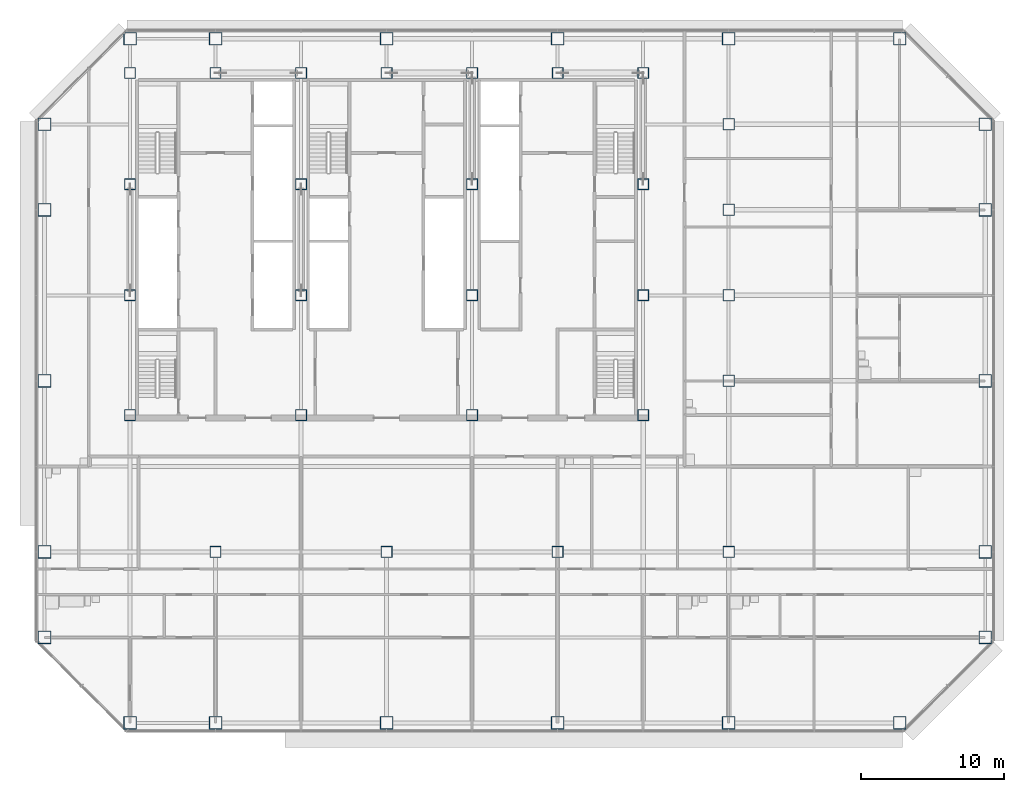
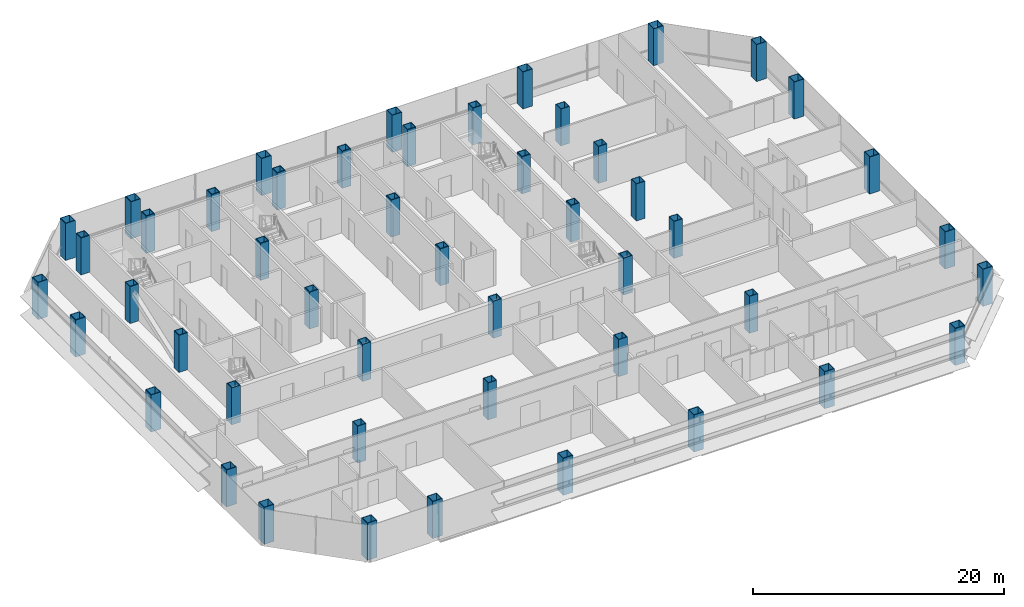
# One storey, part 1 of 27: 49 columns.
"""IFC4 building model written with IfcOpenShell, lengths in metres."""

from ifc_helpers import new_model, si_unit, direction, frame, origin, origin_2d, place, context, subcontext, project, spatial, hollow_rectangle, extrude, material, material_profile, profile_set, type_object, element, save


model = new_model("IFC4")

# Units and contexts
model_context = context("Model", 3, precision=1e-05, world=origin(), true_north=direction((0.0, 1.0)))
body_context = subcontext(model_context, "Body", "Model", "MODEL_VIEW")
ifc_project = project(units=[si_unit("LENGTHUNIT", "METRE"), si_unit("AREAUNIT", "SQUARE_METRE"), si_unit("VOLUMEUNIT", "CUBIC_METRE"), si_unit("PLANEANGLEUNIT", "RADIAN"), si_unit("MASSUNIT", "GRAM", prefix="KILO")], contexts=[model_context])

# Site, building, storey
site_placement = place(None, origin())
site = spatial("IfcSite", under=ifc_project, at=site_placement, CompositionType="ELEMENT")
building_placement = place(site_placement, origin())
building = spatial("IfcBuilding", under=site, at=building_placement, Name="Sorahane Residences", CompositionType="ELEMENT")
storey_placement = place(building_placement, frame((0.0, 0.0, 57.0)))
storey = spatial("IfcBuildingStorey", under=building, at=storey_placement, Name="L10", CompositionType="ELEMENT", Elevation=57.0)

# Columns
ifc_material_1 = material(Name="Steel Q355B", Category="steel")
ifc_material_profile_1 = material_profile(ifc_material_1, hollow_rectangle(XDim=0.800048828125, YDim=0.800048828125, WallThickness=0.0400390625, at=origin_2d()), Name="BOX 800x800x40")
ifc_profile_set_1 = profile_set([ifc_material_profile_1], Name="Steel Q355B")
column_type_1 = type_object("IfcColumnType", Name="Steel box column BOX 800x800x40 Q355B", PredefinedType="COLUMN", material=ifc_profile_set_1)
for number, where, z_axis, x_axis, name in (
    (1, (12.0, 12.0, 0.0), (0.0, 0.0, 1.0), (1.0, 0.0, 0.0), "Column L10 12/12"),
    (2, (24.0, 12.0, 0.0), (0.0, 0.0, 1.0), (1.0, 0.0, 0.0), "Column L10 24/12"),
    (3, (36.0, 12.0, 0.0), (0.0, 0.0, 1.0), (1.0, 0.0, 0.0), "Column L10 36/12"),
    (4, (48.0, 12.0, 0.0), (0.0, 0.0, 1.0), (1.0, 0.0, 0.0), "Column L10 48/12"),
    (5, (48.0, 24.0, 0.0), (0.0, 0.0, 1.0), (1.0, 0.0, 0.0), "Column L10 48/24"),
    (6, (48.0, 30.0, 0.0), (0.0, 0.0, 1.0), (1.0, 0.0, 0.0), "Column L10 48/30"),
    (7, (48.0, 36.0, 0.0), (0.0, 0.0, 1.0), (1.0, 0.0, 0.0), "Column L10 48/36"),
    (8, (48.0, 42.0, 0.0), (0.0, 0.0, 1.0), (1.0, 0.0, 0.0), "Column L10 48/42"),
):
    element("IfcColumn", number, at=place(storey_placement, frame(where, z_axis=z_axis, x_axis=x_axis)), inside=storey, type_object=column_type_1, Name=name, PredefinedType="COLUMN", context=body_context, shape_type="SweptSolid", body=[
        extrude(hollow_rectangle(XDim=0.800048828125, YDim=0.800048828125, WallThickness=0.0400390625, at=origin_2d()), origin(), (0.0, 0.0, 1.0), 3.60009765625),
    ])
ifc_material_2 = material(Name="Steel Q420GJ", Category="steel")
ifc_material_profile_2 = material_profile(ifc_material_2, hollow_rectangle(XDim=0.800048828125, YDim=0.800048828125, WallThickness=0.06005859375, at=origin_2d()), Name="BOX 800x800x60")
ifc_profile_set_2 = profile_set([ifc_material_profile_2], Name="Steel Q420GJ")
column_type_2 = type_object("IfcColumnType", Name="Steel box column BOX 800x800x60 Q420GJ", PredefinedType="COLUMN", material=ifc_profile_set_2)
for number, where, z_axis, x_axis, name in (
    (9, (6.0, 21.60009765625, 0.0), (0.0, 0.0, 1.0), (1.0, 0.0, 0.0), "Column L10 6/21.6"),
    (10, (6.0, 30.0, 0.0), (0.0, 0.0, 1.0), (1.0, 0.0, 0.0), "Column L10 6/30"),
    (11, (6.0, 37.800048828125, 0.0), (0.0, 0.0, 1.0), (1.0, 0.0, 0.0), "Column L10 6/37.8"),
    (12, (6.0, 45.60009765625, 0.0), (0.0, 0.0, 1.0), (1.0, 0.0, 0.0), "Column L10 6/45.6"),
    (13, (12.0, 45.60009765625, 0.0), (0.0, 0.0, 1.0), (1.0, 0.0, 0.0), "Column L10 12/45.6"),
    (14, (18.0, 21.60009765625, 0.0), (0.0, 0.0, 1.0), (1.0, 0.0, 0.0), "Column L10 18/21.6"),
    (15, (18.0, 30.0, 0.0), (0.0, 0.0, 1.0), (1.0, 0.0, 0.0), "Column L10 18/30"),
    (16, (18.0, 37.800048828125, 0.0), (0.0, 0.0, 1.0), (1.0, 0.0, 0.0), "Column L10 18/37.8"),
    (17, (18.0, 45.60009765625, 0.0), (0.0, 0.0, 1.0), (1.0, 0.0, 0.0), "Column L10 18/45.6"),
    (18, (24.0, 45.60009765625, 0.0), (0.0, 0.0, 1.0), (1.0, 0.0, 0.0), "Column L10 24/45.6"),
    (19, (30.0, 21.60009765625, 0.0), (0.0, 0.0, 1.0), (1.0, 0.0, 0.0), "Column L10 30/21.6"),
    (20, (30.0, 30.0, 0.0), (0.0, 0.0, 1.0), (1.0, 0.0, 0.0), "Column L10 30/30"),
    (21, (30.0, 37.800048828125, 0.0), (0.0, 0.0, 1.0), (1.0, 0.0, 0.0), "Column L10 30/37.8"),
    (22, (30.0, 45.60009765625, 0.0), (0.0, 0.0, 1.0), (1.0, 0.0, 0.0), "Column L10 30/45.6"),
    (23, (36.0, 45.60009765625, 0.0), (0.0, 0.0, 1.0), (1.0, 0.0, 0.0), "Column L10 36/45.6"),
    (24, (42.0, 21.60009765625, 0.0), (0.0, 0.0, 1.0), (1.0, 0.0, 0.0), "Column L10 42/21.6"),
    (25, (42.0, 30.0, 0.0), (0.0, 0.0, 1.0), (1.0, 0.0, 0.0), "Column L10 42/30"),
    (26, (42.0, 37.800048828125, 0.0), (0.0, 0.0, 1.0), (1.0, 0.0, 0.0), "Column L10 42/37.8"),
    (27, (42.0, 45.60009765625, 0.0), (0.0, 0.0, 1.0), (1.0, 0.0, 0.0), "Column L10 42/45.6"),
):
    element("IfcColumn", number, at=place(storey_placement, frame(where, z_axis=z_axis, x_axis=x_axis)), inside=storey, type_object=column_type_2, Name=name, PredefinedType="COLUMN", context=body_context, shape_type="SweptSolid", body=[
        extrude(hollow_rectangle(XDim=0.800048828125, YDim=0.800048828125, WallThickness=0.06005859375, at=origin_2d()), origin(), (0.0, 0.0, 1.0), 3.60009765625),
    ])
ifc_material_3 = material(Name="Steel Q420GJ", Category="steel")
ifc_material_profile_3 = material_profile(ifc_material_3, hollow_rectangle(XDim=0.89990234375, YDim=0.89990234375, WallThickness=0.044921875, at=origin_2d()), Name="BOX 900x900x45")
ifc_profile_set_3 = profile_set([ifc_material_profile_3], Name="Steel Q420GJ")
column_type_3 = type_object("IfcColumnType", Name="Steel box column BOX 900x900x45 Q420GJ", PredefinedType="COLUMN", material=ifc_profile_set_3)
for number, where, z_axis, x_axis, name in (
    (28, (0.0, 6.0, 0.0), (0.0, 0.0, 1.0), (1.0, 0.0, 0.0), "Column L10 m0/6"),
    (29, (0.0, 12.0, 0.0), (0.0, 0.0, 1.0), (1.0, 0.0, 0.0), "Column L10 m0/12"),
    (30, (0.0, 24.0, 0.0), (0.0, 0.0, 1.0), (1.0, 0.0, 0.0), "Column L10 m0/24"),
    (31, (0.0, 36.0, 0.0), (0.0, 0.0, 1.0), (1.0, 0.0, 0.0), "Column L10 m0/36"),
    (32, (0.0, 42.0, 0.0), (0.0, 0.0, 1.0), (1.0, 0.0, 0.0), "Column L10 m0/42"),
    (33, (6.0, 0.0, 0.0), (0.0, 0.0, 1.0), (1.0, 0.0, 0.0), "Column L10 6/0"),
    (34, (6.0, 48.0, 0.0), (0.0, 0.0, 1.0), (1.0, 0.0, 0.0), "Column L10 6/48"),
    (35, (12.0, 0.0, 0.0), (0.0, 0.0, 1.0), (1.0, 0.0, 0.0), "Column L10 12/0"),
    (36, (12.0, 48.0, 0.0), (0.0, 0.0, 1.0), (1.0, 0.0, 0.0), "Column L10 12/48"),
    (37, (24.0, 0.0, 0.0), (0.0, 0.0, 1.0), (1.0, 0.0, 0.0), "Column L10 24/0"),
    (38, (24.0, 48.0, 0.0), (0.0, 0.0, 1.0), (1.0, 0.0, 0.0), "Column L10 24/48"),
    (39, (36.0, 0.0, 0.0), (0.0, 0.0, 1.0), (1.0, 0.0, 0.0), "Column L10 36/0"),
    (40, (36.0, 48.0, 0.0), (0.0, 0.0, 1.0), (1.0, 0.0, 0.0), "Column L10 36/48"),
    (41, (48.0, 0.0, 0.0), (0.0, 0.0, 1.0), (1.0, 0.0, 0.0), "Column L10 48/0"),
    (42, (48.0, 48.0, 0.0), (0.0, 0.0, 1.0), (1.0, 0.0, 0.0), "Column L10 48/48"),
    (43, (60.0, 0.0, 0.0), (0.0, 0.0, 1.0), (1.0, 0.0, 0.0), "Column L10 60/0"),
    (44, (60.0, 48.0, 0.0), (0.0, 0.0, 1.0), (1.0, 0.0, 0.0), "Column L10 60/48"),
    (45, (66.0, 6.0, 0.0), (0.0, 0.0, 1.0), (1.0, 0.0, 0.0), "Column L10 66/6"),
    (46, (66.0, 12.0, 0.0), (0.0, 0.0, 1.0), (1.0, 0.0, 0.0), "Column L10 66/12"),
    (47, (66.0, 24.0, 0.0), (0.0, 0.0, 1.0), (1.0, 0.0, 0.0), "Column L10 66/24"),
    (48, (66.0, 36.0, 0.0), (0.0, 0.0, 1.0), (1.0, 0.0, 0.0), "Column L10 66/36"),
    (49, (66.0, 42.0, 0.0), (0.0, 0.0, 1.0), (1.0, 0.0, 0.0), "Column L10 66/42"),
):
    element("IfcColumn", number, at=place(storey_placement, frame(where, z_axis=z_axis, x_axis=x_axis)), inside=storey, type_object=column_type_3, Name=name, PredefinedType="COLUMN", context=body_context, shape_type="SweptSolid", body=[
        extrude(hollow_rectangle(XDim=0.89990234375, YDim=0.89990234375, WallThickness=0.044921875, at=origin_2d()), origin(), (0.0, 0.0, 1.0), 3.60009765625),
    ])

save(model, "model.ifc")
